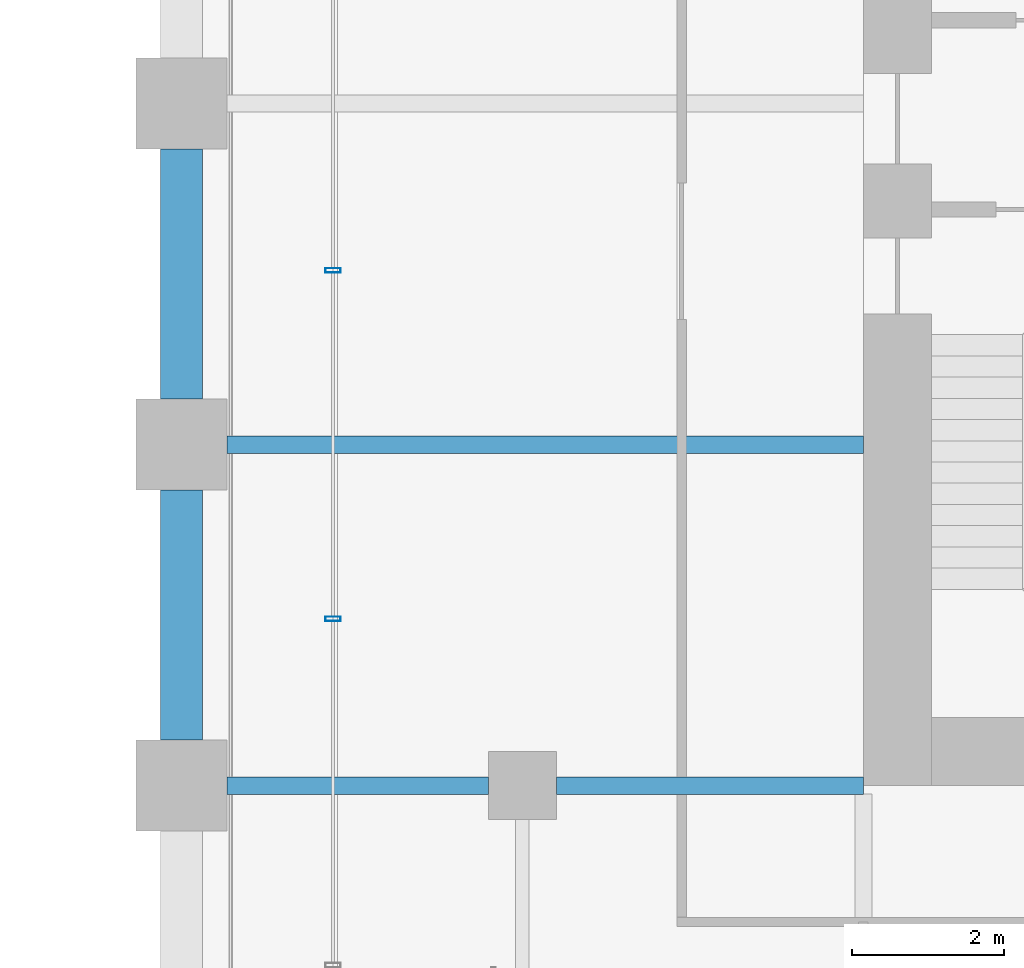
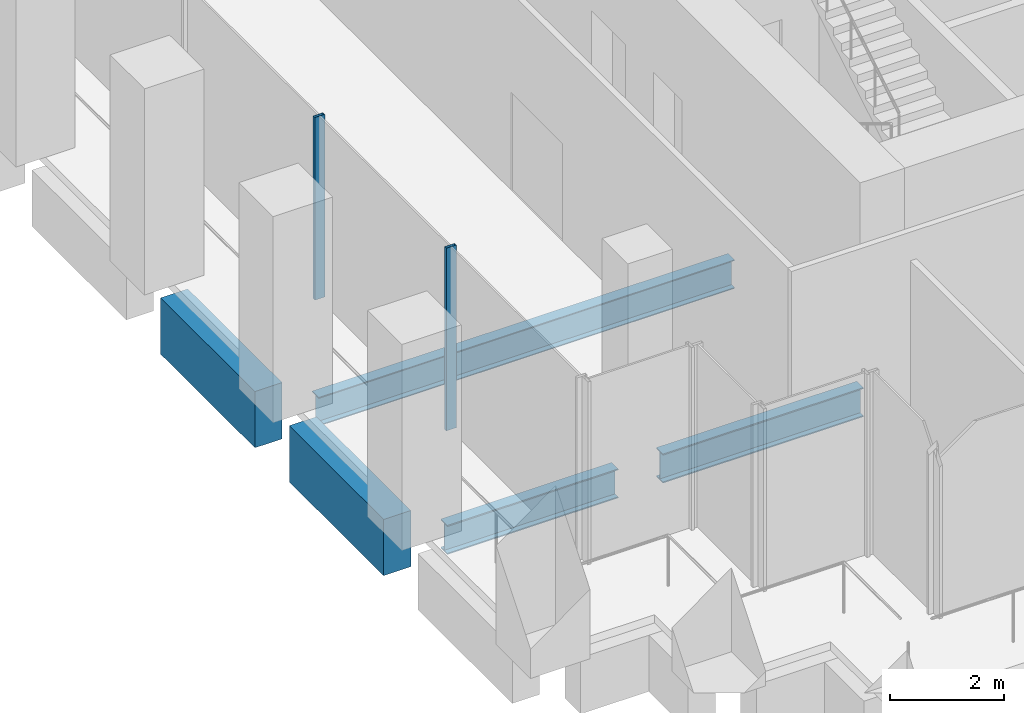
# One storey, part 20 of 36: 5 beams, 2 members, 1 element without a shape of its own.
"""IFC4 building model written with IfcOpenShell, lengths in metres."""

from ifc_helpers import new_model, si_unit, direction, frame, origin, origin_2d, place, context, subcontext, project, spatial, rectangle, hollow_rectangle, i_section, extrude, material, material_profile, profile_set, type_object, element, aggregate, save


model = new_model("IFC4")

# Units and contexts
model_context = context("Model", 3, precision=1e-05, world=origin(), true_north=direction((0.0, 1.0)))
body_context = subcontext(model_context, "Body", "Model", "MODEL_VIEW")
ifc_project = project(units=[si_unit("LENGTHUNIT", "METRE"), si_unit("AREAUNIT", "SQUARE_METRE"), si_unit("VOLUMEUNIT", "CUBIC_METRE"), si_unit("PLANEANGLEUNIT", "RADIAN"), si_unit("MASSUNIT", "GRAM", prefix="KILO")], contexts=[model_context])

# Site, building, storey
site_placement = place(None, origin())
site = spatial("IfcSite", under=ifc_project, at=site_placement, CompositionType="ELEMENT")
building_placement = place(site_placement, origin())
building = spatial("IfcBuilding", under=site, at=building_placement, Name="Altepetl Exchange Towers", CompositionType="ELEMENT")
storey_placement = place(building_placement, frame((0.0, 0.0, 25.39990234375)))
storey = spatial("IfcBuildingStorey", under=building, at=storey_placement, Name="L05", CompositionType="ELEMENT", Elevation=25.39990234375)

# Beams
ifc_material_1 = material(Name="Steel S355", Category="steel")
ifc_material_profile_1 = material_profile(ifc_material_1, i_section(OverallWidth=0.22900390625, OverallDepth=0.612060546875, WebThickness=0.011962890625, FlangeThickness=0.01953125, at=origin_2d()), Name="W24X84")
ifc_profile_set_1 = profile_set([ifc_material_profile_1], Name="Steel S355")
beam_type_1 = type_object("IfcBeamType", Name="Floor beam W24X84", PredefinedType="BEAM", material=ifc_profile_set_1)
beam_1_placement = place(storey_placement, frame((95.10009765625, 40.5, -0.48095703125), z_axis=(1.0, 0.0, 0.0), x_axis=(0.0, 1.0, 0.0)))
element("IfcBeam", 1, at=beam_1_placement, inside=storey, type_object=beam_type_1, Name="bm:B:L05:012", PredefinedType="BEAM", context=body_context, shape_type="SweptSolid", body=[
    extrude(i_section(OverallWidth=0.22900390625, OverallDepth=0.612060546875, WebThickness=0.011962890625, FlangeThickness=0.01953125, at=origin_2d()), origin(), (0.0, 0.0, 1.0), 8.39990234375),
])
ifc_material_profile_2 = material_profile(ifc_material_1, i_section(OverallWidth=0.22900390625, OverallDepth=0.623046875, WebThickness=0.013916015625, FlangeThickness=0.02490234375, at=origin_2d()), Name="W24X103")
ifc_profile_set_2 = profile_set([ifc_material_profile_2], Name="Steel S355")
beam_type_2 = type_object("IfcBeamType", Name="Girder W24X103", PredefinedType="BEAM", material=ifc_profile_set_2)
beam_2_placement = place(storey_placement, frame((103.5, 36.0, -0.486328125), z_axis=(-1.0, 0.0, 0.0), x_axis=(0.0, -1.0, 0.0)))
element("IfcBeam", 2, at=beam_2_placement, inside=storey, type_object=beam_type_2, Name="gd:B:L05:006", PredefinedType="BEAM", context=body_context, shape_type="SweptSolid", body=[
    extrude(i_section(OverallWidth=0.22900390625, OverallDepth=0.623046875, WebThickness=0.013916015625, FlangeThickness=0.02490234375, at=origin_2d()), origin(), (0.0, 0.0, 1.0), 4.050048828125),
])
beam_3_placement = place(storey_placement, frame((98.550048828125, 36.0, -0.486328125), z_axis=(-1.0, 0.0, 0.0), x_axis=(0.0, -1.0, 0.0)))
element("IfcBeam", 3, at=beam_3_placement, inside=storey, type_object=beam_type_2, Name="gd:B:L05:007", PredefinedType="BEAM", context=body_context, shape_type="SweptSolid", body=[
    extrude(i_section(OverallWidth=0.22900390625, OverallDepth=0.623046875, WebThickness=0.013916015625, FlangeThickness=0.02490234375, at=origin_2d()), origin(), (0.0, 0.0, 1.0), 3.449951171875),
])

# Curtain wall, members
ifc_material_2 = material(Name="Aluminium 6063-T6 glazing", Category="aluminium")
curtain_wall_type = type_object("IfcCurtainWallType", Name="Trading floor glazing system", PredefinedType="NOTDEFINED", material=ifc_material_2)
curtain_wall_placement = place(storey_placement, origin())
curtain_wall = element("IfcCurtainWall", 4, at=curtain_wall_placement, inside=storey, type_object=curtain_wall_type, Name="CW2 run", PredefinedType="NOTDEFINED")
ifc_material_3 = material(Name="Aluminium 6063-T6", Category="aluminium")
ifc_material_profile_3 = material_profile(ifc_material_3, hollow_rectangle(XDim=0.06005859375, YDim=0.199951171875, WallThickness=0.0029296875, at=origin_2d()), Name="Mullion 60x200 aluminium")
ifc_profile_set_3 = profile_set([ifc_material_profile_3], Name="Aluminium 6063-T6")
member_type = type_object("IfcMemberType", Name="Mullion 60x200 aluminium", PredefinedType="MULLION", material=ifc_profile_set_3)
member_1_placement = place(storey_placement, frame((96.5, 42.800048828125, 0.0), z_axis=(0.0, 0.0, 1.0), x_axis=(0.0, -1.0, 0.0)))
member_1 = element("IfcMember", 5, at=member_1_placement, type_object=member_type, Name="MU2 mullion", PredefinedType="MULLION", context=body_context, shape_type="SweptSolid", body=[
    extrude(hollow_rectangle(XDim=0.06005859375, YDim=0.199951171875, WallThickness=0.0029296875, at=origin_2d()), origin(), (0.0, 0.0, 1.0), 3.900146484375),
])
member_2_placement = place(storey_placement, frame((96.5, 38.199951171875, 0.0), z_axis=(0.0, 0.0, 1.0), x_axis=(0.0, -1.0, 0.0)))
member_2 = element("IfcMember", 6, at=member_2_placement, type_object=member_type, Name="MU2 mullion", PredefinedType="MULLION", context=body_context, shape_type="SweptSolid", body=[
    extrude(hollow_rectangle(XDim=0.06005859375, YDim=0.199951171875, WallThickness=0.0029296875, at=origin_2d()), origin(), (0.0, 0.0, 1.0), 3.900146484375),
])
aggregate(curtain_wall, [member_1, member_2])

# Beams
ifc_material_4 = material(Name="Concrete C50/60 precast with cantera rosa facing", Category="concrete")
ifc_material_profile_4 = material_profile(ifc_material_4, rectangle(XDim=0.550048828125, YDim=1.199951171875, at=origin_2d()), Name="550 x 1200")
ifc_profile_set_4 = profile_set([ifc_material_profile_4], Name="Concrete C50/60 precast with cantera rosa facing")
beam_type_3 = type_object("IfcBeamType", Name="Spandrel beam 550x1200 cantera rosa", PredefinedType="SPANDREL", material=ifc_profile_set_4)
for number, where, z_axis, x_axis, name in (
    (7, (94.5, 44.39990234375, -0.77490234375), (0.0, -1.0, 0.0), (1.0, 0.0, 0.0), "sp:B:L05:029"),
    (8, (94.5, 39.89990234375, -0.77490234375), (0.0, -1.0, 0.0), (1.0, 0.0, 0.0), "sp:B:L05:030"),
):
    element("IfcBeam", number, at=place(storey_placement, frame(where, z_axis=z_axis, x_axis=x_axis)), inside=storey, type_object=beam_type_3, Name=name, PredefinedType="SPANDREL", context=body_context, shape_type="SweptSolid", body=[
        extrude(rectangle(XDim=0.550048828125, YDim=1.199951171875, at=origin_2d()), origin(), (0.0, 0.0, 1.0), 3.2998046875),
    ])

save(model, "model.ifc")
